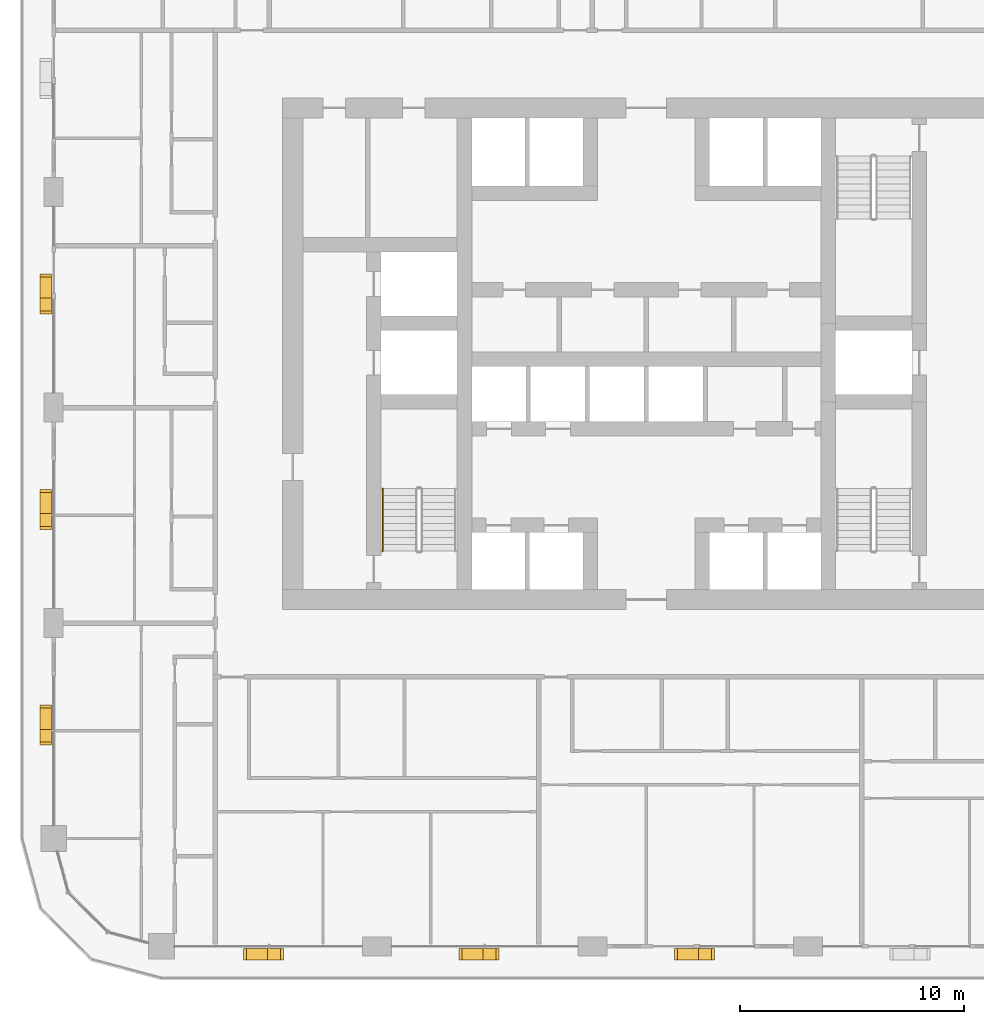
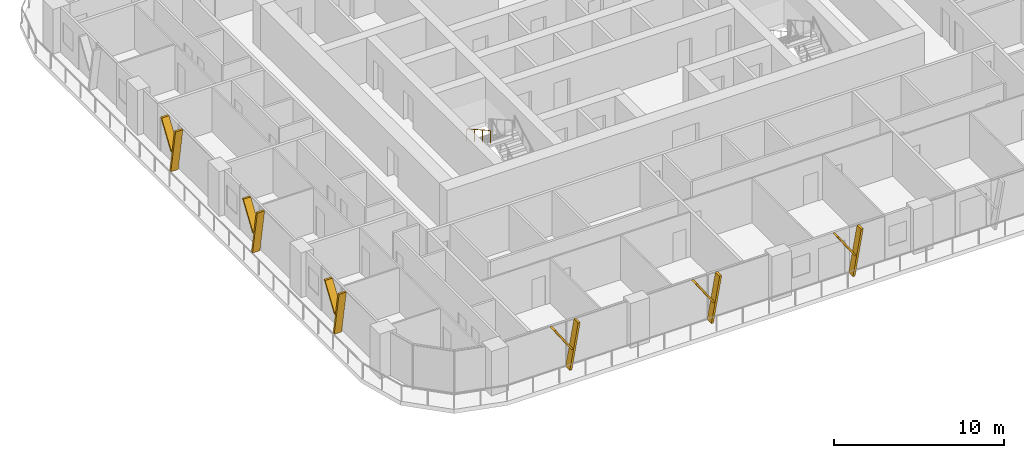
# One storey, part 17 of 22: 12 shading devices, 1 railing.
"""IFC4 building model written with IfcOpenShell, lengths in metres."""

from ifc_helpers import new_model, si_unit, direction, frame, origin, origin_2d, place, context, subcontext, project, spatial, polyline, circle, outline, extrude, material, type_object, element, save


model = new_model("IFC4")

# Units and contexts
model_context = context("Model", 3, precision=1e-05, world=origin(), true_north=direction((0.0, 1.0)))
body_context = subcontext(model_context, "Body", "Model", "MODEL_VIEW")
ifc_project = project(units=[si_unit("LENGTHUNIT", "METRE"), si_unit("AREAUNIT", "SQUARE_METRE"), si_unit("VOLUMEUNIT", "CUBIC_METRE"), si_unit("PLANEANGLEUNIT", "RADIAN"), si_unit("MASSUNIT", "GRAM", prefix="KILO")], contexts=[model_context])

# Site, building, storey
site_placement = place(None, origin())
site = spatial("IfcSite", under=ifc_project, at=site_placement, CompositionType="ELEMENT")
building_placement = place(site_placement, origin())
building = spatial("IfcBuilding", under=site, at=building_placement, Name="Madar Terraces", CompositionType="ELEMENT")
storey_placement = place(building_placement, frame((0.0, 0.0, 59.300048828125)))
storey = spatial("IfcBuildingStorey", under=building, at=storey_placement, Name="L14", CompositionType="ELEMENT", Elevation=59.300048828125)

# Shading devices
ifc_material_1 = material(Name="Aluminium, black anodised", Category="aluminium")
shading_device_type = type_object("IfcShadingDeviceType", Name="Facade fin blade 140 x 500", PredefinedType="USERDEFINED", material=ifc_material_1)
shading_device_1_placement = place(storey_placement, frame((14.330078125, -0.35009765625, 0.0), z_axis=(0.0, 0.0, 1.0), x_axis=(1.0, 0.0, 0.0)))
element("IfcShadingDevice", 1, at=shading_device_1_placement, inside=storey, type_object=shading_device_type, Name="FIN L14 S1", ObjectType="FIN", PredefinedType="USERDEFINED", context=body_context, shape_type="SweptSolid", body=[
    extrude(outline(polyline([(0.0, 0.0), (0.139892578125, 0.0), (0.704345703125, 3.199951171875), (0.564208984375, 3.199951171875), (0.0, 0.0)])), frame((0.0, 0.25, 0.0), z_axis=(0.0, -1.0, 0.0), x_axis=(1.0, 0.0, 0.0)), (0.0, 0.0, 1.0), 0.5),
])
shading_device_2_placement = place(storey_placement, frame((14.44384765625, -0.35009765625, 1.43994140625), z_axis=(0.0, 0.0, 1.0), x_axis=(1.0, 0.0, 0.0)))
element("IfcShadingDevice", 2, at=shading_device_2_placement, inside=storey, type_object=shading_device_type, Name="FIN L14 S1 branch", ObjectType="FIN", PredefinedType="USERDEFINED", context=body_context, shape_type="SweptSolid", body=[
    extrude(outline(polyline([(0.0, 0.0), (0.14013671875, 0.0), (-1.049560546875, 1.760009765625), (-1.189697265625, 1.760009765625), (0.0, 0.0)])), frame((0.0, 0.25, 0.0), z_axis=(0.0, -1.0, 0.0), x_axis=(1.0, 0.0, 0.0)), (0.0, 0.0, 1.0), 0.5),
])
shading_device_3_placement = place(storey_placement, frame((23.929931640625, -0.35009765625, 0.0), z_axis=(0.0, 0.0, 1.0), x_axis=(1.0, 0.0, 0.0)))
element("IfcShadingDevice", 3, at=shading_device_3_placement, inside=storey, type_object=shading_device_type, Name="FIN L14 S2", ObjectType="FIN", PredefinedType="USERDEFINED", context=body_context, shape_type="SweptSolid", body=[
    extrude(outline(polyline([(0.0, 0.0), (0.14013671875, 0.0), (0.704345703125, 3.199951171875), (0.564208984375, 3.199951171875), (0.0, 0.0)])), frame((0.0, 0.25, 0.0), z_axis=(0.0, -1.0, 0.0), x_axis=(1.0, 0.0, 0.0)), (0.0, 0.0, 1.0), 0.5),
])
shading_device_4_placement = place(storey_placement, frame((24.0439453125, -0.35009765625, 1.43994140625), z_axis=(0.0, 0.0, 1.0), x_axis=(1.0, 0.0, 0.0)))
element("IfcShadingDevice", 4, at=shading_device_4_placement, inside=storey, type_object=shading_device_type, Name="FIN L14 S2 branch", ObjectType="FIN", PredefinedType="USERDEFINED", context=body_context, shape_type="SweptSolid", body=[
    extrude(outline(polyline([(0.0, 0.0), (0.139892578125, 0.0), (-1.049560546875, 1.760009765625), (-1.189697265625, 1.760009765625), (0.0, 0.0)])), frame((0.0, 0.25, 0.0), z_axis=(0.0, -1.0, 0.0), x_axis=(1.0, 0.0, 0.0)), (0.0, 0.0, 1.0), 0.5),
])
shading_device_5_placement = place(storey_placement, frame((33.530029296875, -0.35009765625, 0.0), z_axis=(0.0, 0.0, 1.0), x_axis=(1.0, 0.0, 0.0)))
element("IfcShadingDevice", 5, at=shading_device_5_placement, inside=storey, type_object=shading_device_type, Name="FIN L14 S3", ObjectType="FIN", PredefinedType="USERDEFINED", context=body_context, shape_type="SweptSolid", body=[
    extrude(outline(polyline([(0.0, 0.0), (0.139892578125, 0.0), (0.704345703125, 3.199951171875), (0.564208984375, 3.199951171875), (0.0, 0.0)])), frame((0.0, 0.25, 0.0), z_axis=(0.0, -1.0, 0.0), x_axis=(1.0, 0.0, 0.0)), (0.0, 0.0, 1.0), 0.5),
])
shading_device_6_placement = place(storey_placement, frame((33.643798828125, -0.35009765625, 1.43994140625), z_axis=(0.0, 0.0, 1.0), x_axis=(1.0, 0.0, 0.0)))
element("IfcShadingDevice", 6, at=shading_device_6_placement, inside=storey, type_object=shading_device_type, Name="FIN L14 S3 branch", ObjectType="FIN", PredefinedType="USERDEFINED", context=body_context, shape_type="SweptSolid", body=[
    extrude(outline(polyline([(0.0, 0.0), (0.14013671875, 0.0), (-1.049560546875, 1.760009765625), (-1.189697265625, 1.760009765625), (0.0, 0.0)])), frame((0.0, 0.25, 0.0), z_axis=(0.0, -1.0, 0.0), x_axis=(1.0, 0.0, 0.0)), (0.0, 0.0, 1.0), 0.5),
])
shading_device_7_placement = place(storey_placement, frame((4.449951171875, 28.8701171875, 0.0), z_axis=(0.0, 0.0, 1.0), x_axis=(0.0, -1.0, 0.0)))
element("IfcShadingDevice", 7, at=shading_device_7_placement, inside=storey, type_object=shading_device_type, Name="FIN L14 W2", ObjectType="FIN", PredefinedType="USERDEFINED", context=body_context, shape_type="SweptSolid", body=[
    extrude(outline(polyline([(0.0, 0.0), (0.14013671875, 0.0), (0.704345703125, 3.199951171875), (0.564208984375, 3.199951171875), (0.0, 0.0)])), frame((0.0, 0.25, 0.0), z_axis=(0.0, -1.0, 0.0), x_axis=(1.0, 0.0, 0.0)), (0.0, 0.0, 1.0), 0.5),
])
shading_device_8_placement = place(storey_placement, frame((4.449951171875, 28.756103515625, 1.43994140625), z_axis=(0.0, 0.0, 1.0), x_axis=(0.0, -1.0, 0.0)))
element("IfcShadingDevice", 8, at=shading_device_8_placement, inside=storey, type_object=shading_device_type, Name="FIN L14 W2 branch", ObjectType="FIN", PredefinedType="USERDEFINED", context=body_context, shape_type="SweptSolid", body=[
    extrude(outline(polyline([(0.0, 0.0), (0.139892578125, 0.0), (-1.049560546875, 1.760009765625), (-1.189697265625, 1.760009765625), (0.0, 0.0)])), frame((0.0, 0.25, 0.0), z_axis=(0.0, -1.0, 0.0), x_axis=(1.0, 0.0, 0.0)), (0.0, 0.0, 1.0), 0.5),
])
shading_device_9_placement = place(storey_placement, frame((4.449951171875, 19.27001953125, 0.0), z_axis=(0.0, 0.0, 1.0), x_axis=(0.0, -1.0, 0.0)))
element("IfcShadingDevice", 9, at=shading_device_9_placement, inside=storey, type_object=shading_device_type, Name="FIN L14 W3", ObjectType="FIN", PredefinedType="USERDEFINED", context=body_context, shape_type="SweptSolid", body=[
    extrude(outline(polyline([(0.0, 0.0), (0.14013671875, 0.0), (0.704345703125, 3.199951171875), (0.564208984375, 3.199951171875), (0.0, 0.0)])), frame((0.0, 0.25, 0.0), z_axis=(0.0, -1.0, 0.0), x_axis=(1.0, 0.0, 0.0)), (0.0, 0.0, 1.0), 0.5),
])
shading_device_10_placement = place(storey_placement, frame((4.449951171875, 19.156005859375, 1.43994140625), z_axis=(0.0, 0.0, 1.0), x_axis=(0.0, -1.0, 0.0)))
element("IfcShadingDevice", 10, at=shading_device_10_placement, inside=storey, type_object=shading_device_type, Name="FIN L14 W3 branch", ObjectType="FIN", PredefinedType="USERDEFINED", context=body_context, shape_type="SweptSolid", body=[
    extrude(outline(polyline([(0.0, 0.0), (0.139892578125, 0.0), (-1.049560546875, 1.760009765625), (-1.189697265625, 1.760009765625), (0.0, 0.0)])), frame((0.0, 0.25, 0.0), z_axis=(0.0, -1.0, 0.0), x_axis=(1.0, 0.0, 0.0)), (0.0, 0.0, 1.0), 0.5),
])
shading_device_11_placement = place(storey_placement, frame((4.449951171875, 9.669921875, 0.0), z_axis=(0.0, 0.0, 1.0), x_axis=(0.0, -1.0, 0.0)))
element("IfcShadingDevice", 11, at=shading_device_11_placement, inside=storey, type_object=shading_device_type, Name="FIN L14 W4", ObjectType="FIN", PredefinedType="USERDEFINED", context=body_context, shape_type="SweptSolid", body=[
    extrude(outline(polyline([(0.0, 0.0), (0.139892578125, 0.0), (0.704345703125, 3.199951171875), (0.564208984375, 3.199951171875), (0.0, 0.0)])), frame((0.0, 0.25, 0.0), z_axis=(0.0, -1.0, 0.0), x_axis=(1.0, 0.0, 0.0)), (0.0, 0.0, 1.0), 0.5),
])
shading_device_12_placement = place(storey_placement, frame((4.449951171875, 9.55615234375, 1.43994140625), z_axis=(0.0, 0.0, 1.0), x_axis=(0.0, -1.0, 0.0)))
element("IfcShadingDevice", 12, at=shading_device_12_placement, inside=storey, type_object=shading_device_type, Name="FIN L14 W4 branch", ObjectType="FIN", PredefinedType="USERDEFINED", context=body_context, shape_type="SweptSolid", body=[
    extrude(outline(polyline([(0.0, 0.0), (0.14013671875, 0.0), (-1.049560546875, 1.760009765625), (-1.189697265625, 1.760009765625), (0.0, 0.0)])), frame((0.0, 0.25, 0.0), z_axis=(0.0, -1.0, 0.0), x_axis=(1.0, 0.0, 0.0)), (0.0, 0.0, 1.0), 0.5),
])

# Railing
ifc_material_2 = material(Name="Stainless steel railing", Category="steel")
railing_type = type_object("IfcRailingType", Name="Stair handrail 900", PredefinedType="HANDRAIL", material=ifc_material_2)
railing_placement = place(storey_placement, frame((19.449951171875, 20.389892578125, 1.925048828125)))
element("IfcRailing", 13, at=railing_placement, inside=storey, type_object=railing_type, Name="L14 ST1 stair handrail 2", PredefinedType="HANDRAIL", context=body_context, shape_type="SweptSolid", body=[
    extrude(circle(Radius=0.02392578125, at=origin_2d()), frame((0.0, 0.0, 0.8759765625), z_axis=(0.0, -0.870815363784, 0.491610213684), x_axis=(1.0, 0.0, 0.0)), (0.0, 0.0, 1.0), 3.20361328125),
    extrude(circle(Radius=0.02099609375, at=origin_2d()), origin(), (0.0, 0.0, 1.0), 0.851806640625),
    extrude(circle(Radius=0.02099609375, at=origin_2d()), frame((0.0, -0.929931640625, 0.52490234375)), (0.0, 0.0, 1.0), 0.851806640625),
    extrude(circle(Radius=0.02099609375, at=origin_2d()), frame((0.0, -1.85986328125, 1.050048828125)), (0.0, 0.0, 1.0), 0.851806640625),
    extrude(circle(Radius=0.02099609375, at=origin_2d()), frame((0.0, -2.789794921875, 1.574951171875)), (0.0, 0.0, 1.0), 0.851806640625),
])

save(model, "model.ifc")
